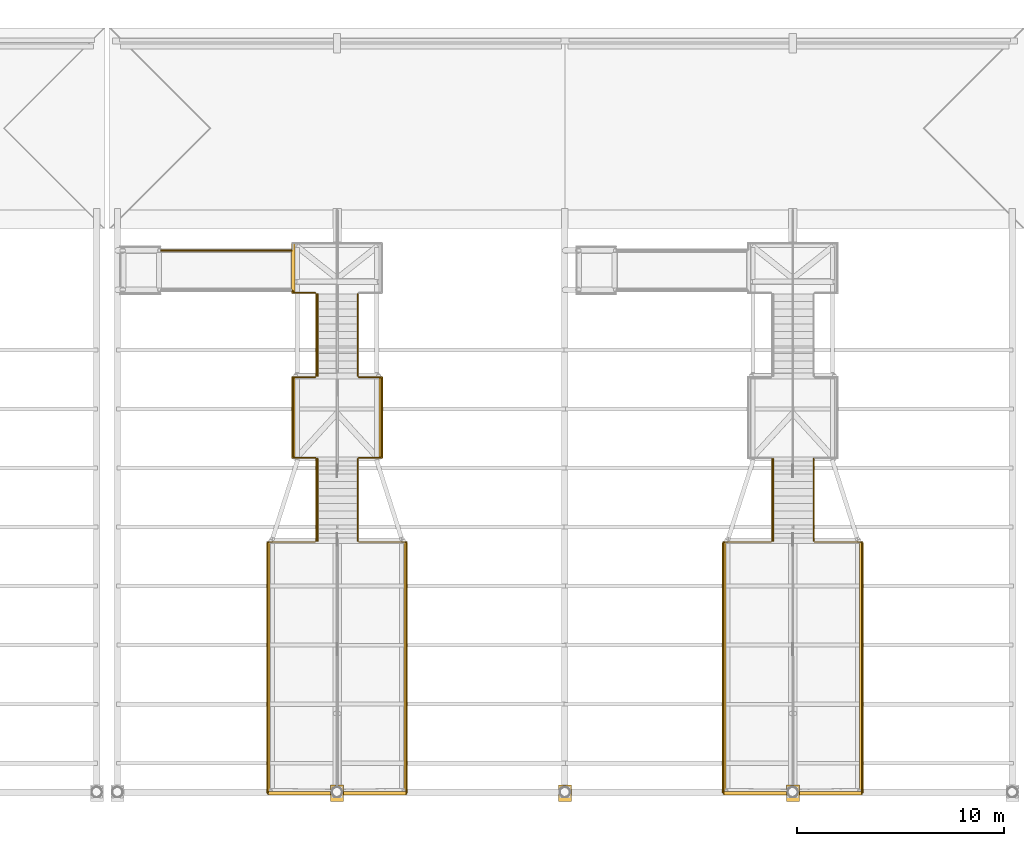
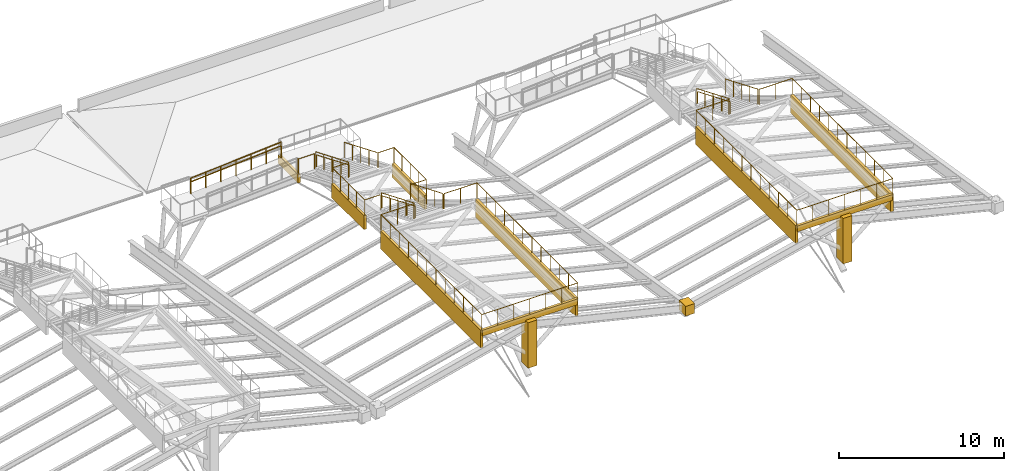
# One storey, part 38 of 43: 16 railings, 12 coverings.
"""IFC4 building model written with IfcOpenShell, lengths in metres."""

from ifc_helpers import new_model, si_unit, direction, frame, frame_2d, origin, origin_2d, place, context, subcontext, project, spatial, rectangle, circle, extrude, material, layer, layer_set, type_object, element, save


model = new_model("IFC4")

# Units and contexts
model_context = context("Model", 3, precision=1e-05, world=origin(), true_north=direction((0.0, 1.0)))
body_context = subcontext(model_context, "Body", "Model", "MODEL_VIEW")
ifc_project = project(units=[si_unit("LENGTHUNIT", "METRE"), si_unit("AREAUNIT", "SQUARE_METRE"), si_unit("VOLUMEUNIT", "CUBIC_METRE"), si_unit("PLANEANGLEUNIT", "RADIAN"), si_unit("MASSUNIT", "GRAM", prefix="KILO")], contexts=[model_context])

# Site, building, storey
site_placement = place(None, origin())
site = spatial("IfcSite", under=ifc_project, at=site_placement, CompositionType="ELEMENT")
building_placement = place(site_placement, origin())
building = spatial("IfcBuilding", under=site, at=building_placement, Name="Caurita Quay Ferry Terminal", CompositionType="ELEMENT")
storey_placement = place(building_placement, frame((0.0, 0.0, 14.10009765625)))
storey = spatial("IfcBuildingStorey", under=building, at=storey_placement, Name="L03", CompositionType="ELEMENT", Elevation=14.10009765625)

# Coverings
ifc_material_1 = material(Name="Warm-white lime stucco masonry", Category="masonry")
ifc_layer_1 = layer(ifc_material_1, 0.360107421875, Name="Spanish Colonial semicircular lime-stucco portales arcade 360 mm")
ifc_layer_set_1 = layer_set([ifc_layer_1], Name="Warm-white lime stucco masonry")
covering_type_1 = type_object("IfcCoveringType", Name="COV-ARC-CLD", PredefinedType="CLADDING", material=ifc_layer_set_1)
for number, where, z_axis, x_axis, name in (
    (1, (95.8798828125, 46.64990234375, 2.349853515625), (0.0, 0.0, 1.0), (0.0, -1.0, 0.0), "Folded Roof Bay 5 Lookout Stucco Skirt 01"),
    (2, (102.52001953125, 34.550048828125, 2.349853515625), (0.0, 0.0, 1.0), (0.0, 1.0, 0.0), "Folded Roof Bay 5 Lookout Stucco Skirt 02"),
):
    element("IfcCovering", number, at=place(storey_placement, frame(where, z_axis=z_axis, x_axis=x_axis)), inside=storey, type_object=covering_type_1, Name=name, PredefinedType="CLADDING", context=body_context, shape_type="SweptSolid", body=[
        extrude(rectangle(XDim=12.099853515625, YDim=0.179931640625, at=frame_2d((6.0498046875, 0.0))), origin(), (0.0, 0.0, 1.0), 1.330078125),
    ])
covering_1_placement = place(storey_placement, frame((95.8798828125, 34.550048828125, 3.25), z_axis=(0.0, 0.0, 1.0), x_axis=(1.0, 0.0, 0.0)))
element("IfcCovering", 3, at=covering_1_placement, inside=storey, type_object=covering_type_1, Name="Folded Roof Bay 5 Lookout Stucco Skirt 03", PredefinedType="CLADDING", context=body_context, shape_type="SweptSolid", body=[
    extrude(rectangle(XDim=6.64013671875, YDim=0.179931640625, at=frame_2d((3.320068359375, 0.0))), origin(), (0.0, 0.0, 1.0), 0.429931640625),
])
for number, where, z_axis, x_axis, name in (
    (4, (97.080078125, 54.64990234375, 0.849853515625), (0.0, 0.0, 1.0), (0.0, -1.0, 0.0), "Folded Roof Bay 5 Lookout Stucco Skirt 04"),
    (5, (101.320068359375, 50.72998046875, 0.849853515625), (0.0, 0.0, 1.0), (0.0, 1.0, 0.0), "Folded Roof Bay 5 Lookout Stucco Skirt 05"),
):
    element("IfcCovering", number, at=place(storey_placement, frame(where, z_axis=z_axis, x_axis=x_axis)), inside=storey, type_object=covering_type_1, Name=name, PredefinedType="CLADDING", context=body_context, shape_type="SweptSolid", body=[
        extrude(rectangle(XDim=3.919921875, YDim=0.179931640625, at=frame_2d((1.9599609375, 0.0))), origin(), (0.0, 0.0, 1.0), 1.030029296875),
    ])
covering_2_placement = place(storey_placement, frame((97.080078125, 61.10009765625, -0.550048828125), z_axis=(0.0, 0.0, 1.0), x_axis=(0.0, -1.0, 0.0)))
element("IfcCovering", 6, at=covering_2_placement, inside=storey, type_object=covering_type_1, Name="Folded Roof Bay 5 Lookout Stucco Skirt 06", PredefinedType="CLADDING", context=body_context, shape_type="SweptSolid", body=[
    extrude(rectangle(XDim=2.400146484375, YDim=0.179931640625, at=frame_2d((1.2001953125, 0.0))), origin(), (0.0, 0.0, 1.0), 0.6298828125),
])
for number, where, z_axis, x_axis, name in (
    (7, (117.8798828125, 46.64990234375, 2.349853515625), (0.0, 0.0, 1.0), (0.0, -1.0, 0.0), "Folded Roof Bay 6 Lookout Stucco Skirt 01"),
    (8, (124.52001953125, 34.550048828125, 2.349853515625), (0.0, 0.0, 1.0), (0.0, 1.0, 0.0), "Folded Roof Bay 6 Lookout Stucco Skirt 02"),
):
    element("IfcCovering", number, at=place(storey_placement, frame(where, z_axis=z_axis, x_axis=x_axis)), inside=storey, type_object=covering_type_1, Name=name, PredefinedType="CLADDING", context=body_context, shape_type="SweptSolid", body=[
        extrude(rectangle(XDim=12.099853515625, YDim=0.179931640625, at=frame_2d((6.0498046875, 0.0))), origin(), (0.0, 0.0, 1.0), 1.330078125),
    ])
covering_3_placement = place(storey_placement, frame((117.8798828125, 34.550048828125, 3.25), z_axis=(0.0, 0.0, 1.0), x_axis=(1.0, 0.0, 0.0)))
element("IfcCovering", 9, at=covering_3_placement, inside=storey, type_object=covering_type_1, Name="Folded Roof Bay 6 Lookout Stucco Skirt 03", PredefinedType="CLADDING", context=body_context, shape_type="SweptSolid", body=[
    extrude(rectangle(XDim=6.64013671875, YDim=0.179931640625, at=frame_2d((3.320068359375, 0.0))), origin(), (0.0, 0.0, 1.0), 0.429931640625),
])
ifc_layer_2 = layer(ifc_material_1, 0.179931640625, Name="Classical engaged lime-stucco facade pilaster cladding 180 mm")
ifc_layer_set_2 = layer_set([ifc_layer_2], Name="Warm-white lime stucco masonry")
covering_type_2 = type_object("IfcCoveringType", Name="COV-PIL-CLD", PredefinedType="CLADDING", material=ifc_layer_set_2)
covering_4_placement = place(storey_placement, frame((99.199951171875, 34.550048828125, 0.0), z_axis=(0.0, 0.0, 1.0), x_axis=(1.0, 0.0, 0.0)))
element("IfcCovering", 10, at=covering_4_placement, inside=storey, type_object=covering_type_2, Name="L03 Classical Engaged Pilaster 0092", PredefinedType="CLADDING", context=body_context, shape_type="SweptSolid", body=[
    extrude(rectangle(XDim=0.6279296875, YDim=0.7880859375, at=origin_2d()), origin(), (0.0, 0.0, 1.0), 3.360107421875),
])
covering_5_placement = place(storey_placement, frame((110.199951171875, 34.550048828125, 0.0), z_axis=(0.0, 0.0, 1.0), x_axis=(1.0, 0.0, 0.0)))
element("IfcCovering", 11, at=covering_5_placement, inside=storey, type_object=covering_type_2, Name="L03 Classical Engaged Pilaster 0099", PredefinedType="CLADDING", context=body_context, shape_type="SweptSolid", body=[
    extrude(rectangle(XDim=0.6279296875, YDim=0.7880859375, at=origin_2d()), origin(), (0.0, 0.0, 1.0), 0.719970703125),
])
covering_6_placement = place(storey_placement, frame((121.199951171875, 34.550048828125, 0.0), z_axis=(0.0, 0.0, 1.0), x_axis=(1.0, 0.0, 0.0)))
element("IfcCovering", 12, at=covering_6_placement, inside=storey, type_object=covering_type_2, Name="L03 Classical Engaged Pilaster 0106", PredefinedType="CLADDING", context=body_context, shape_type="SweptSolid", body=[
    extrude(rectangle(XDim=0.6279296875, YDim=0.7880859375, at=origin_2d()), origin(), (0.0, 0.0, 1.0), 3.360107421875),
])

# Railings
ifc_material_2 = material(Name="Bronze architectural metalwork", Category="metal")
railing_type_1 = type_object("IfcRailingType", Name="RL-HND-090", PredefinedType="HANDRAIL", material=ifc_material_2)
railing_1_placement = place(storey_placement, frame((98.260009765625, 58.64990234375, 0.25)))
element("IfcRailing", 13, at=railing_1_placement, inside=storey, type_object=railing_type_1, Name="Waterside Peak Lookout 5 Handrail 1", PredefinedType="HANDRAIL", context=body_context, shape_type="SweptSolid", body=[
    extrude(circle(Radius=0.02392578125, at=origin_2d()), frame((0.0, 0.0, 0.8759765625), z_axis=(0.0, -0.923083657872, 0.384599220709), x_axis=(1.0, 0.0, 0.0)), (0.0, 0.0, 1.0), 4.2900390625),
    extrude(circle(Radius=0.02099609375, at=origin_2d()), origin(), (0.0, 0.0, 1.0), 0.851806640625),
    extrude(circle(Radius=0.02099609375, at=origin_2d()), frame((0.0, -0.989990234375, 0.41259765625)), (0.0, 0.0, 1.0), 0.851806640625),
    extrude(circle(Radius=0.02099609375, at=origin_2d()), frame((0.0, -1.97998046875, 0.824951171875)), (0.0, 0.0, 1.0), 0.851806640625),
    extrude(circle(Radius=0.02099609375, at=origin_2d()), frame((0.0, -2.969970703125, 1.2373046875)), (0.0, 0.0, 1.0), 0.851806640625),
    extrude(circle(Radius=0.02099609375, at=origin_2d()), frame((0.0, -3.9599609375, 1.64990234375)), (0.0, 0.0, 1.0), 0.851806640625),
])
for number, where, name in (
    (14, (98.260009765625, 50.68994140625, 2.0498046875), "Waterside Peak Lookout 5 Handrail 2"),
    (15, (120.260009765625, 50.68994140625, 2.0498046875), "Waterside Peak Lookout 6 Handrail 2"),
):
    element("IfcRailing", number, at=place(storey_placement, frame(where)), inside=storey, type_object=railing_type_1, Name=name, PredefinedType="HANDRAIL", context=body_context, shape_type="SweptSolid", body=[
        extrude(circle(Radius=0.02392578125, at=origin_2d()), frame((0.0, 0.0, 0.8759765625), z_axis=(0.0, -0.923063452933, 0.384647711367), x_axis=(1.0, 0.0, 0.0)), (0.0, 0.0, 1.0), 4.2900390625),
        extrude(circle(Radius=0.02099609375, at=origin_2d()), origin(), (0.0, 0.0, 1.0), 0.851806640625),
        extrude(circle(Radius=0.02099609375, at=origin_2d()), frame((0.0, -0.989990234375, 0.41259765625)), (0.0, 0.0, 1.0), 0.851806640625),
        extrude(circle(Radius=0.02099609375, at=origin_2d()), frame((0.0, -1.97998046875, 0.8251953125)), (0.0, 0.0, 1.0), 0.851806640625),
        extrude(circle(Radius=0.02099609375, at=origin_2d()), frame((0.0, -2.969970703125, 1.237548828125)), (0.0, 0.0, 1.0), 0.851806640625),
        extrude(circle(Radius=0.02099609375, at=origin_2d()), frame((0.0, -3.9599609375, 1.650146484375)), (0.0, 0.0, 1.0), 0.851806640625),
    ])
railing_2_placement = place(storey_placement, frame((90.699951171875, 60.739990234375, -0.35009765625)))
element("IfcRailing", 16, at=railing_2_placement, inside=storey, type_object=railing_type_1, Name="Folded Roof Bay 5 Accessible Lookout Ramp Handrail 2", PredefinedType="HANDRAIL", context=body_context, shape_type="SweptSolid", body=[
    extrude(circle(Radius=0.02392578125, at=origin_2d()), frame((0.0, 0.0, 0.8759765625), z_axis=(0.997459288432, 0.0, 0.07123880909), x_axis=(0.0, 1.0, 0.0)), (0.0, 0.0, 1.0), 6.316162109375),
    extrude(circle(Radius=0.02099609375, at=origin_2d()), origin(), (0.0, 0.0, 1.0), 0.851806640625),
    extrude(circle(Radius=0.02099609375, at=origin_2d()), frame((1.050048828125, 0.0, 0.074951171875)), (0.0, 0.0, 1.0), 0.851806640625),
    extrude(circle(Radius=0.02099609375, at=origin_2d()), frame((2.10009765625, 0.0, 0.14990234375)), (0.0, 0.0, 1.0), 0.851806640625),
    extrude(circle(Radius=0.02099609375, at=origin_2d()), frame((3.14990234375, 0.0, 0.22509765625)), (0.0, 0.0, 1.0), 0.851806640625),
    extrude(circle(Radius=0.02099609375, at=origin_2d()), frame((4.199951171875, 0.0, 0.300048828125)), (0.0, 0.0, 1.0), 0.851806640625),
    extrude(circle(Radius=0.02099609375, at=origin_2d()), frame((5.25, 0.0, 0.375)), (0.0, 0.0, 1.0), 0.851806640625),
    extrude(circle(Radius=0.02099609375, at=origin_2d()), frame((6.300048828125, 0.0, 0.449951171875)), (0.0, 0.0, 1.0), 0.851806640625),
])
railing_type_2 = type_object("IfcRailingType", Name="RL-REJA-115", PredefinedType="BALUSTRADE", material=ifc_material_2)
railing_3_placement = place(storey_placement, frame((98.14990234375, 58.699951171875, 0.099853515625)))
element("IfcRailing", 17, at=railing_3_placement, inside=storey, type_object=railing_type_2, Name="Waterside Peak Lookout 5 Guardrail 1", PredefinedType="BALUSTRADE", context=body_context, shape_type="SweptSolid", body=[
    extrude(circle(Radius=0.02392578125, at=origin_2d()), frame((0.0, 0.0, 1.1259765625), z_axis=(-1.0, 0.0, 0.0), x_axis=(0.0, -1.0, 0.0)), (0.0, 0.0, 1.0), 1.099853515625),
    extrude(circle(Radius=0.02392578125, at=origin_2d()), frame((-1.099853515625, 0.0, 1.1259765625), z_axis=(0.0, 1.0, 0.0), x_axis=(-1.0, 0.0, 0.0)), (0.0, 0.0, 1.0), 0.10009765625),
    extrude(circle(Radius=0.02099609375, at=origin_2d()), origin(), (0.0, 0.0, 1.0), 1.101806640625),
    extrude(circle(Radius=0.02099609375, at=origin_2d()), frame((-1.099853515625, 0.0, 0.0)), (0.0, 0.0, 1.0), 1.101806640625),
    extrude(circle(Radius=0.02099609375, at=origin_2d()), frame((-1.099853515625, 0.10009765625, 0.0)), (0.0, 0.0, 1.0), 1.101806640625),
])
for number, where, name in (
    (18, (98.199951171875, 58.64990234375, 0.25), "Waterside Peak Lookout 5 Guardrail 3"),
    (19, (100.199951171875, 58.64990234375, 0.25), "Waterside Peak Lookout 5 Guardrail 4"),
):
    element("IfcRailing", number, at=place(storey_placement, frame(where)), inside=storey, type_object=railing_type_2, Name=name, PredefinedType="BALUSTRADE", context=body_context, shape_type="SweptSolid", body=[
        extrude(circle(Radius=0.02392578125, at=origin_2d()), frame((0.0, 0.0, 1.1259765625), z_axis=(0.0, -0.923083657872, 0.384599220709), x_axis=(1.0, 0.0, 0.0)), (0.0, 0.0, 1.0), 4.2900390625),
        extrude(circle(Radius=0.02099609375, at=origin_2d()), origin(), (0.0, 0.0, 1.0), 1.101806640625),
        extrude(circle(Radius=0.02099609375, at=origin_2d()), frame((0.0, -0.989990234375, 0.41259765625)), (0.0, 0.0, 1.0), 1.101806640625),
        extrude(circle(Radius=0.02099609375, at=origin_2d()), frame((0.0, -1.97998046875, 0.824951171875)), (0.0, 0.0, 1.0), 1.101806640625),
        extrude(circle(Radius=0.02099609375, at=origin_2d()), frame((0.0, -2.969970703125, 1.2373046875)), (0.0, 0.0, 1.0), 1.101806640625),
        extrude(circle(Radius=0.02099609375, at=origin_2d()), frame((0.0, -3.9599609375, 1.64990234375)), (0.0, 0.0, 1.0), 1.101806640625),
    ])
railing_4_placement = place(storey_placement, frame((98.14990234375, 54.639892578125, 1.89990234375)))
element("IfcRailing", 20, at=railing_4_placement, inside=storey, type_object=railing_type_2, Name="Waterside Peak Lookout 5 Guardrail 5", PredefinedType="BALUSTRADE", context=body_context, shape_type="SweptSolid", body=[
    extrude(circle(Radius=0.02392578125, at=origin_2d()), frame((0.0, 0.0, 1.1259765625), z_axis=(-1.0, 0.0, 0.0), x_axis=(0.0, -1.0, 0.0)), (0.0, 0.0, 1.0), 1.099853515625),
    extrude(circle(Radius=0.02392578125, at=origin_2d()), frame((-1.099853515625, 0.0, 1.1259765625), z_axis=(0.0, -1.0, 0.0), x_axis=(1.0, 0.0, 0.0)), (0.0, 0.0, 1.0), 3.89990234375),
    extrude(circle(Radius=0.02392578125, at=origin_2d()), frame((-1.099853515625, -3.89990234375, 1.1259765625), z_axis=(1.0, 0.0, 0.0), x_axis=(0.0, 1.0, 0.0)), (0.0, 0.0, 1.0), 1.099853515625),
    extrude(circle(Radius=0.02099609375, at=origin_2d()), origin(), (0.0, 0.0, 1.0), 1.101806640625),
    extrude(circle(Radius=0.02099609375, at=origin_2d()), frame((-1.099853515625, 0.0, 0.0)), (0.0, 0.0, 1.0), 1.101806640625),
    extrude(circle(Radius=0.02099609375, at=origin_2d()), frame((-1.099853515625, -0.97509765625, 0.0)), (0.0, 0.0, 1.0), 1.101806640625),
    extrude(circle(Radius=0.02099609375, at=origin_2d()), frame((-1.099853515625, -1.949951171875, 0.0)), (0.0, 0.0, 1.0), 1.101806640625),
    extrude(circle(Radius=0.02099609375, at=origin_2d()), frame((-1.099853515625, -2.9248046875, 0.0)), (0.0, 0.0, 1.0), 1.101806640625),
    extrude(circle(Radius=0.02099609375, at=origin_2d()), frame((-1.099853515625, -3.89990234375, 0.0)), (0.0, 0.0, 1.0), 1.101806640625),
    extrude(circle(Radius=0.02099609375, at=origin_2d()), frame((0.0, -3.89990234375, 0.0)), (0.0, 0.0, 1.0), 1.101806640625),
])
railing_5_placement = place(storey_placement, frame((100.25, 54.639892578125, 1.89990234375)))
element("IfcRailing", 21, at=railing_5_placement, inside=storey, type_object=railing_type_2, Name="Waterside Peak Lookout 5 Guardrail 6", PredefinedType="BALUSTRADE", context=body_context, shape_type="SweptSolid", body=[
    extrude(circle(Radius=0.02392578125, at=origin_2d()), frame((0.0, 0.0, 1.1259765625), z_axis=(1.0, 0.0, 0.0), x_axis=(0.0, 1.0, 0.0)), (0.0, 0.0, 1.0), 1.10009765625),
    extrude(circle(Radius=0.02392578125, at=origin_2d()), frame((1.10009765625, 0.0, 1.1259765625), z_axis=(0.0, -1.0, 0.0), x_axis=(1.0, 0.0, 0.0)), (0.0, 0.0, 1.0), 3.89990234375),
    extrude(circle(Radius=0.02392578125, at=origin_2d()), frame((1.10009765625, -3.89990234375, 1.1259765625), z_axis=(-1.0, 0.0, 0.0), x_axis=(0.0, -1.0, 0.0)), (0.0, 0.0, 1.0), 1.10009765625),
    extrude(circle(Radius=0.02099609375, at=origin_2d()), origin(), (0.0, 0.0, 1.0), 1.101806640625),
    extrude(circle(Radius=0.02099609375, at=origin_2d()), frame((1.10009765625, 0.0, 0.0)), (0.0, 0.0, 1.0), 1.101806640625),
    extrude(circle(Radius=0.02099609375, at=origin_2d()), frame((1.10009765625, -0.97509765625, 0.0)), (0.0, 0.0, 1.0), 1.101806640625),
    extrude(circle(Radius=0.02099609375, at=origin_2d()), frame((1.10009765625, -1.949951171875, 0.0)), (0.0, 0.0, 1.0), 1.101806640625),
    extrude(circle(Radius=0.02099609375, at=origin_2d()), frame((1.10009765625, -2.9248046875, 0.0)), (0.0, 0.0, 1.0), 1.101806640625),
    extrude(circle(Radius=0.02099609375, at=origin_2d()), frame((1.10009765625, -3.89990234375, 0.0)), (0.0, 0.0, 1.0), 1.101806640625),
    extrude(circle(Radius=0.02099609375, at=origin_2d()), frame((0.0, -3.89990234375, 0.0)), (0.0, 0.0, 1.0), 1.101806640625),
])
for number, where, name in (
    (22, (98.199951171875, 50.68994140625, 2.0498046875), "Waterside Peak Lookout 5 Guardrail 7"),
    (23, (100.199951171875, 50.68994140625, 2.0498046875), "Waterside Peak Lookout 5 Guardrail 8"),
):
    element("IfcRailing", number, at=place(storey_placement, frame(where)), inside=storey, type_object=railing_type_2, Name=name, PredefinedType="BALUSTRADE", context=body_context, shape_type="SweptSolid", body=[
        extrude(circle(Radius=0.02392578125, at=origin_2d()), frame((0.0, 0.0, 1.1259765625), z_axis=(0.0, -0.923063452933, 0.384647711367), x_axis=(1.0, 0.0, 0.0)), (0.0, 0.0, 1.0), 4.2900390625),
        extrude(circle(Radius=0.02099609375, at=origin_2d()), origin(), (0.0, 0.0, 1.0), 1.101806640625),
        extrude(circle(Radius=0.02099609375, at=origin_2d()), frame((0.0, -0.989990234375, 0.41259765625)), (0.0, 0.0, 1.0), 1.101806640625),
        extrude(circle(Radius=0.02099609375, at=origin_2d()), frame((0.0, -1.97998046875, 0.8251953125)), (0.0, 0.0, 1.0), 1.101806640625),
        extrude(circle(Radius=0.02099609375, at=origin_2d()), frame((0.0, -2.969970703125, 1.237548828125)), (0.0, 0.0, 1.0), 1.101806640625),
        extrude(circle(Radius=0.02099609375, at=origin_2d()), frame((0.0, -3.9599609375, 1.650146484375)), (0.0, 0.0, 1.0), 1.101806640625),
    ])
railing_6_placement = place(storey_placement, frame((98.14990234375, 46.679931640625, 3.699951171875)))
element("IfcRailing", 24, at=railing_6_placement, inside=storey, type_object=railing_type_2, Name="Waterside Peak Lookout 5 Guardrail 9", PredefinedType="BALUSTRADE", context=body_context, shape_type="SweptSolid", body=[
    extrude(circle(Radius=0.02392578125, at=origin_2d()), frame((0.0, 0.0, 1.1259765625), z_axis=(-1.0, 0.0, 0.0), x_axis=(0.0, -1.0, 0.0)), (0.0, 0.0, 1.0), 2.2998046875),
    extrude(circle(Radius=0.02392578125, at=origin_2d()), frame((-2.2998046875, 0.0, 1.1259765625), z_axis=(0.0, -1.0, 0.0), x_axis=(1.0, 0.0, 0.0)), (0.0, 0.0, 1.0), 12.179931640625),
    extrude(circle(Radius=0.02392578125, at=origin_2d()), frame((-2.2998046875, -12.179931640625, 1.1259765625), z_axis=(1.0, 0.0, 0.0), x_axis=(0.0, 1.0, 0.0)), (0.0, 0.0, 1.0), 6.699951171875),
    extrude(circle(Radius=0.02392578125, at=origin_2d()), frame((4.400146484375, -12.179931640625, 1.1259765625), z_axis=(0.0, 1.0, 0.0), x_axis=(-1.0, 0.0, 0.0)), (0.0, 0.0, 1.0), 12.179931640625),
    extrude(circle(Radius=0.02392578125, at=origin_2d()), frame((4.400146484375, 0.0, 1.1259765625), z_axis=(-1.0, 0.0, 0.0), x_axis=(0.0, -1.0, 0.0)), (0.0, 0.0, 1.0), 2.300048828125),
    extrude(circle(Radius=0.02099609375, at=origin_2d()), origin(), (0.0, 0.0, 1.0), 1.101806640625),
    extrude(circle(Radius=0.02099609375, at=origin_2d()), frame((-1.14990234375, 0.0, 0.0)), (0.0, 0.0, 1.0), 1.101806640625),
    extrude(circle(Radius=0.02099609375, at=origin_2d()), frame((-2.2998046875, 0.0, 0.0)), (0.0, 0.0, 1.0), 1.101806640625),
    extrude(circle(Radius=0.02099609375, at=origin_2d()), frame((-2.2998046875, -1.107177734375, 0.0)), (0.0, 0.0, 1.0), 1.101806640625),
    extrude(circle(Radius=0.02099609375, at=origin_2d()), frame((-2.2998046875, -2.214599609375, 0.0)), (0.0, 0.0, 1.0), 1.101806640625),
    extrude(circle(Radius=0.02099609375, at=origin_2d()), frame((-2.2998046875, -3.32177734375, 0.0)), (0.0, 0.0, 1.0), 1.101806640625),
    extrude(circle(Radius=0.02099609375, at=origin_2d()), frame((-2.2998046875, -4.428955078125, 0.0)), (0.0, 0.0, 1.0), 1.101806640625),
    extrude(circle(Radius=0.02099609375, at=origin_2d()), frame((-2.2998046875, -5.536376953125, 0.0)), (0.0, 0.0, 1.0), 1.101806640625),
    extrude(circle(Radius=0.02099609375, at=origin_2d()), frame((-2.2998046875, -6.6435546875, 0.0)), (0.0, 0.0, 1.0), 1.101806640625),
    extrude(circle(Radius=0.02099609375, at=origin_2d()), frame((-2.2998046875, -7.7509765625, 0.0)), (0.0, 0.0, 1.0), 1.101806640625),
    extrude(circle(Radius=0.02099609375, at=origin_2d()), frame((-2.2998046875, -8.858154296875, 0.0)), (0.0, 0.0, 1.0), 1.101806640625),
    extrude(circle(Radius=0.02099609375, at=origin_2d()), frame((-2.2998046875, -9.96533203125, 0.0)), (0.0, 0.0, 1.0), 1.101806640625),
    extrude(circle(Radius=0.02099609375, at=origin_2d()), frame((-2.2998046875, -11.07275390625, 0.0)), (0.0, 0.0, 1.0), 1.101806640625),
    extrude(circle(Radius=0.02099609375, at=origin_2d()), frame((-2.2998046875, -12.179931640625, 0.0)), (0.0, 0.0, 1.0), 1.101806640625),
    extrude(circle(Radius=0.02099609375, at=origin_2d()), frame((-1.18310546875, -12.179931640625, 0.0)), (0.0, 0.0, 1.0), 1.101806640625),
    extrude(circle(Radius=0.02099609375, at=origin_2d()), frame((-0.06640625, -12.179931640625, 0.0)), (0.0, 0.0, 1.0), 1.101806640625),
    extrude(circle(Radius=0.02099609375, at=origin_2d()), frame((1.05029296875, -12.179931640625, 0.0)), (0.0, 0.0, 1.0), 1.101806640625),
    extrude(circle(Radius=0.02099609375, at=origin_2d()), frame((2.166748046875, -12.179931640625, 0.0)), (0.0, 0.0, 1.0), 1.101806640625),
    extrude(circle(Radius=0.02099609375, at=origin_2d()), frame((3.283447265625, -12.179931640625, 0.0)), (0.0, 0.0, 1.0), 1.101806640625),
    extrude(circle(Radius=0.02099609375, at=origin_2d()), frame((4.400146484375, -12.179931640625, 0.0)), (0.0, 0.0, 1.0), 1.101806640625),
    extrude(circle(Radius=0.02099609375, at=origin_2d()), frame((4.400146484375, -11.07275390625, 0.0)), (0.0, 0.0, 1.0), 1.101806640625),
    extrude(circle(Radius=0.02099609375, at=origin_2d()), frame((4.400146484375, -9.96533203125, 0.0)), (0.0, 0.0, 1.0), 1.101806640625),
    extrude(circle(Radius=0.02099609375, at=origin_2d()), frame((4.400146484375, -8.858154296875, 0.0)), (0.0, 0.0, 1.0), 1.101806640625),
    extrude(circle(Radius=0.02099609375, at=origin_2d()), frame((4.400146484375, -7.7509765625, 0.0)), (0.0, 0.0, 1.0), 1.101806640625),
    extrude(circle(Radius=0.02099609375, at=origin_2d()), frame((4.400146484375, -6.6435546875, 0.0)), (0.0, 0.0, 1.0), 1.101806640625),
    extrude(circle(Radius=0.02099609375, at=origin_2d()), frame((4.400146484375, -5.536376953125, 0.0)), (0.0, 0.0, 1.0), 1.101806640625),
    extrude(circle(Radius=0.02099609375, at=origin_2d()), frame((4.400146484375, -4.428955078125, 0.0)), (0.0, 0.0, 1.0), 1.101806640625),
    extrude(circle(Radius=0.02099609375, at=origin_2d()), frame((4.400146484375, -3.32177734375, 0.0)), (0.0, 0.0, 1.0), 1.101806640625),
    extrude(circle(Radius=0.02099609375, at=origin_2d()), frame((4.400146484375, -2.214599609375, 0.0)), (0.0, 0.0, 1.0), 1.101806640625),
    extrude(circle(Radius=0.02099609375, at=origin_2d()), frame((4.400146484375, -1.107177734375, 0.0)), (0.0, 0.0, 1.0), 1.101806640625),
    extrude(circle(Radius=0.02099609375, at=origin_2d()), frame((4.400146484375, 0.0, 0.0)), (0.0, 0.0, 1.0), 1.101806640625),
    extrude(circle(Radius=0.02099609375, at=origin_2d()), frame((3.25, 0.0, 0.0)), (0.0, 0.0, 1.0), 1.101806640625),
    extrude(circle(Radius=0.02099609375, at=origin_2d()), frame((2.10009765625, 0.0, 0.0)), (0.0, 0.0, 1.0), 1.101806640625),
])
for number, where, name in (
    (25, (120.199951171875, 50.68994140625, 2.0498046875), "Waterside Peak Lookout 6 Guardrail 7"),
    (26, (122.199951171875, 50.68994140625, 2.0498046875), "Waterside Peak Lookout 6 Guardrail 8"),
):
    element("IfcRailing", number, at=place(storey_placement, frame(where)), inside=storey, type_object=railing_type_2, Name=name, PredefinedType="BALUSTRADE", context=body_context, shape_type="SweptSolid", body=[
        extrude(circle(Radius=0.02392578125, at=origin_2d()), frame((0.0, 0.0, 1.1259765625), z_axis=(0.0, -0.923063452933, 0.384647711367), x_axis=(1.0, 0.0, 0.0)), (0.0, 0.0, 1.0), 4.2900390625),
        extrude(circle(Radius=0.02099609375, at=origin_2d()), origin(), (0.0, 0.0, 1.0), 1.101806640625),
        extrude(circle(Radius=0.02099609375, at=origin_2d()), frame((0.0, -0.989990234375, 0.41259765625)), (0.0, 0.0, 1.0), 1.101806640625),
        extrude(circle(Radius=0.02099609375, at=origin_2d()), frame((0.0, -1.97998046875, 0.8251953125)), (0.0, 0.0, 1.0), 1.101806640625),
        extrude(circle(Radius=0.02099609375, at=origin_2d()), frame((0.0, -2.969970703125, 1.237548828125)), (0.0, 0.0, 1.0), 1.101806640625),
        extrude(circle(Radius=0.02099609375, at=origin_2d()), frame((0.0, -3.9599609375, 1.650146484375)), (0.0, 0.0, 1.0), 1.101806640625),
    ])
railing_7_placement = place(storey_placement, frame((120.14990234375, 46.679931640625, 3.699951171875)))
element("IfcRailing", 27, at=railing_7_placement, inside=storey, type_object=railing_type_2, Name="Waterside Peak Lookout 6 Guardrail 9", PredefinedType="BALUSTRADE", context=body_context, shape_type="SweptSolid", body=[
    extrude(circle(Radius=0.02392578125, at=origin_2d()), frame((0.0, 0.0, 1.1259765625), z_axis=(-1.0, 0.0, 0.0), x_axis=(0.0, -1.0, 0.0)), (0.0, 0.0, 1.0), 2.2998046875),
    extrude(circle(Radius=0.02392578125, at=origin_2d()), frame((-2.2998046875, 0.0, 1.1259765625), z_axis=(0.0, -1.0, 0.0), x_axis=(1.0, 0.0, 0.0)), (0.0, 0.0, 1.0), 12.179931640625),
    extrude(circle(Radius=0.02392578125, at=origin_2d()), frame((-2.2998046875, -12.179931640625, 1.1259765625), z_axis=(1.0, 0.0, 0.0), x_axis=(0.0, 1.0, 0.0)), (0.0, 0.0, 1.0), 6.699951171875),
    extrude(circle(Radius=0.02392578125, at=origin_2d()), frame((4.400146484375, -12.179931640625, 1.1259765625), z_axis=(0.0, 1.0, 0.0), x_axis=(-1.0, 0.0, 0.0)), (0.0, 0.0, 1.0), 12.179931640625),
    extrude(circle(Radius=0.02392578125, at=origin_2d()), frame((4.400146484375, 0.0, 1.1259765625), z_axis=(-1.0, 0.0, 0.0), x_axis=(0.0, -1.0, 0.0)), (0.0, 0.0, 1.0), 2.300048828125),
    extrude(circle(Radius=0.02099609375, at=origin_2d()), origin(), (0.0, 0.0, 1.0), 1.101806640625),
    extrude(circle(Radius=0.02099609375, at=origin_2d()), frame((-1.14990234375, 0.0, 0.0)), (0.0, 0.0, 1.0), 1.101806640625),
    extrude(circle(Radius=0.02099609375, at=origin_2d()), frame((-2.2998046875, 0.0, 0.0)), (0.0, 0.0, 1.0), 1.101806640625),
    extrude(circle(Radius=0.02099609375, at=origin_2d()), frame((-2.2998046875, -1.107177734375, 0.0)), (0.0, 0.0, 1.0), 1.101806640625),
    extrude(circle(Radius=0.02099609375, at=origin_2d()), frame((-2.2998046875, -2.214599609375, 0.0)), (0.0, 0.0, 1.0), 1.101806640625),
    extrude(circle(Radius=0.02099609375, at=origin_2d()), frame((-2.2998046875, -3.32177734375, 0.0)), (0.0, 0.0, 1.0), 1.101806640625),
    extrude(circle(Radius=0.02099609375, at=origin_2d()), frame((-2.2998046875, -4.428955078125, 0.0)), (0.0, 0.0, 1.0), 1.101806640625),
    extrude(circle(Radius=0.02099609375, at=origin_2d()), frame((-2.2998046875, -5.536376953125, 0.0)), (0.0, 0.0, 1.0), 1.101806640625),
    extrude(circle(Radius=0.02099609375, at=origin_2d()), frame((-2.2998046875, -6.6435546875, 0.0)), (0.0, 0.0, 1.0), 1.101806640625),
    extrude(circle(Radius=0.02099609375, at=origin_2d()), frame((-2.2998046875, -7.7509765625, 0.0)), (0.0, 0.0, 1.0), 1.101806640625),
    extrude(circle(Radius=0.02099609375, at=origin_2d()), frame((-2.2998046875, -8.858154296875, 0.0)), (0.0, 0.0, 1.0), 1.101806640625),
    extrude(circle(Radius=0.02099609375, at=origin_2d()), frame((-2.2998046875, -9.96533203125, 0.0)), (0.0, 0.0, 1.0), 1.101806640625),
    extrude(circle(Radius=0.02099609375, at=origin_2d()), frame((-2.2998046875, -11.07275390625, 0.0)), (0.0, 0.0, 1.0), 1.101806640625),
    extrude(circle(Radius=0.02099609375, at=origin_2d()), frame((-2.2998046875, -12.179931640625, 0.0)), (0.0, 0.0, 1.0), 1.101806640625),
    extrude(circle(Radius=0.02099609375, at=origin_2d()), frame((-1.18310546875, -12.179931640625, 0.0)), (0.0, 0.0, 1.0), 1.101806640625),
    extrude(circle(Radius=0.02099609375, at=origin_2d()), frame((-0.06640625, -12.179931640625, 0.0)), (0.0, 0.0, 1.0), 1.101806640625),
    extrude(circle(Radius=0.02099609375, at=origin_2d()), frame((1.05029296875, -12.179931640625, 0.0)), (0.0, 0.0, 1.0), 1.101806640625),
    extrude(circle(Radius=0.02099609375, at=origin_2d()), frame((2.166748046875, -12.179931640625, 0.0)), (0.0, 0.0, 1.0), 1.101806640625),
    extrude(circle(Radius=0.02099609375, at=origin_2d()), frame((3.283447265625, -12.179931640625, 0.0)), (0.0, 0.0, 1.0), 1.101806640625),
    extrude(circle(Radius=0.02099609375, at=origin_2d()), frame((4.400146484375, -12.179931640625, 0.0)), (0.0, 0.0, 1.0), 1.101806640625),
    extrude(circle(Radius=0.02099609375, at=origin_2d()), frame((4.400146484375, -11.07275390625, 0.0)), (0.0, 0.0, 1.0), 1.101806640625),
    extrude(circle(Radius=0.02099609375, at=origin_2d()), frame((4.400146484375, -9.96533203125, 0.0)), (0.0, 0.0, 1.0), 1.101806640625),
    extrude(circle(Radius=0.02099609375, at=origin_2d()), frame((4.400146484375, -8.858154296875, 0.0)), (0.0, 0.0, 1.0), 1.101806640625),
    extrude(circle(Radius=0.02099609375, at=origin_2d()), frame((4.400146484375, -7.7509765625, 0.0)), (0.0, 0.0, 1.0), 1.101806640625),
    extrude(circle(Radius=0.02099609375, at=origin_2d()), frame((4.400146484375, -6.6435546875, 0.0)), (0.0, 0.0, 1.0), 1.101806640625),
    extrude(circle(Radius=0.02099609375, at=origin_2d()), frame((4.400146484375, -5.536376953125, 0.0)), (0.0, 0.0, 1.0), 1.101806640625),
    extrude(circle(Radius=0.02099609375, at=origin_2d()), frame((4.400146484375, -4.428955078125, 0.0)), (0.0, 0.0, 1.0), 1.101806640625),
    extrude(circle(Radius=0.02099609375, at=origin_2d()), frame((4.400146484375, -3.32177734375, 0.0)), (0.0, 0.0, 1.0), 1.101806640625),
    extrude(circle(Radius=0.02099609375, at=origin_2d()), frame((4.400146484375, -2.214599609375, 0.0)), (0.0, 0.0, 1.0), 1.101806640625),
    extrude(circle(Radius=0.02099609375, at=origin_2d()), frame((4.400146484375, -1.107177734375, 0.0)), (0.0, 0.0, 1.0), 1.101806640625),
    extrude(circle(Radius=0.02099609375, at=origin_2d()), frame((4.400146484375, 0.0, 0.0)), (0.0, 0.0, 1.0), 1.101806640625),
    extrude(circle(Radius=0.02099609375, at=origin_2d()), frame((3.25, 0.0, 0.0)), (0.0, 0.0, 1.0), 1.101806640625),
    extrude(circle(Radius=0.02099609375, at=origin_2d()), frame((2.10009765625, 0.0, 0.0)), (0.0, 0.0, 1.0), 1.101806640625),
])
railing_8_placement = place(storey_placement, frame((90.699951171875, 60.77001953125, -0.35009765625)))
element("IfcRailing", 28, at=railing_8_placement, inside=storey, type_object=railing_type_2, Name="Folded Roof Bay 5 Accessible Lookout Ramp Guardrail 2", PredefinedType="BALUSTRADE", context=body_context, shape_type="SweptSolid", body=[
    extrude(circle(Radius=0.02392578125, at=origin_2d()), frame((0.0, 0.0, 1.1259765625), z_axis=(0.997459288432, 0.0, 0.07123880909), x_axis=(0.0, 1.0, 0.0)), (0.0, 0.0, 1.0), 6.316162109375),
    extrude(circle(Radius=0.02099609375, at=origin_2d()), origin(), (0.0, 0.0, 1.0), 1.101806640625),
    extrude(circle(Radius=0.02099609375, at=origin_2d()), frame((1.050048828125, 0.0, 0.074951171875)), (0.0, 0.0, 1.0), 1.101806640625),
    extrude(circle(Radius=0.02099609375, at=origin_2d()), frame((2.10009765625, 0.0, 0.14990234375)), (0.0, 0.0, 1.0), 1.101806640625),
    extrude(circle(Radius=0.02099609375, at=origin_2d()), frame((3.14990234375, 0.0, 0.22509765625)), (0.0, 0.0, 1.0), 1.101806640625),
    extrude(circle(Radius=0.02099609375, at=origin_2d()), frame((4.199951171875, 0.0, 0.300048828125)), (0.0, 0.0, 1.0), 1.101806640625),
    extrude(circle(Radius=0.02099609375, at=origin_2d()), frame((5.25, 0.0, 0.375)), (0.0, 0.0, 1.0), 1.101806640625),
    extrude(circle(Radius=0.02099609375, at=origin_2d()), frame((6.300048828125, 0.0, 0.449951171875)), (0.0, 0.0, 1.0), 1.101806640625),
])

save(model, "model.ifc")
